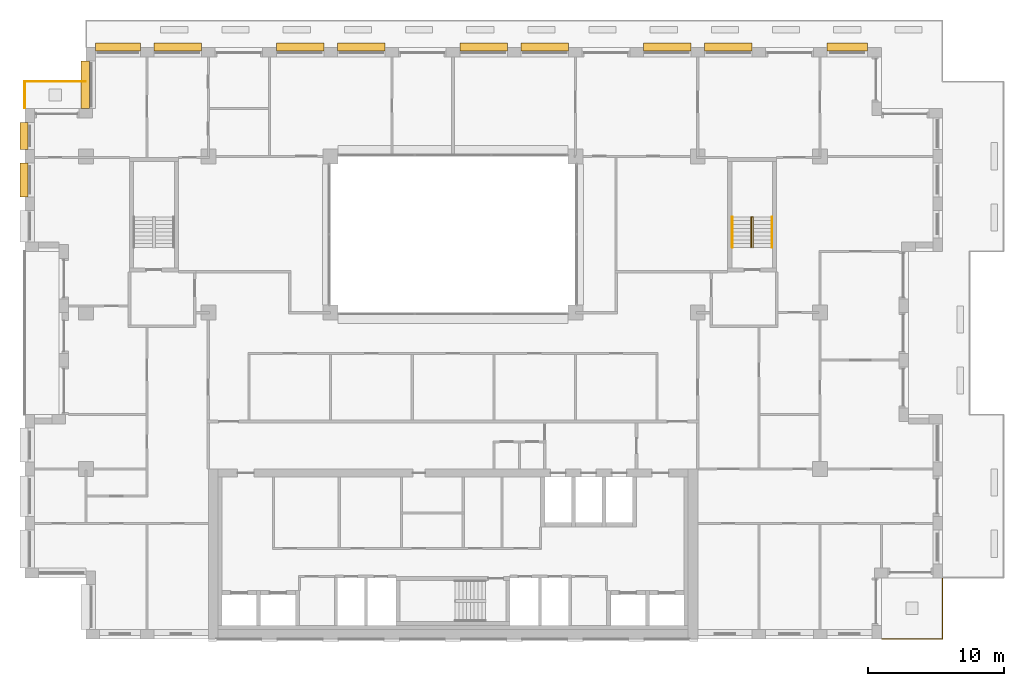
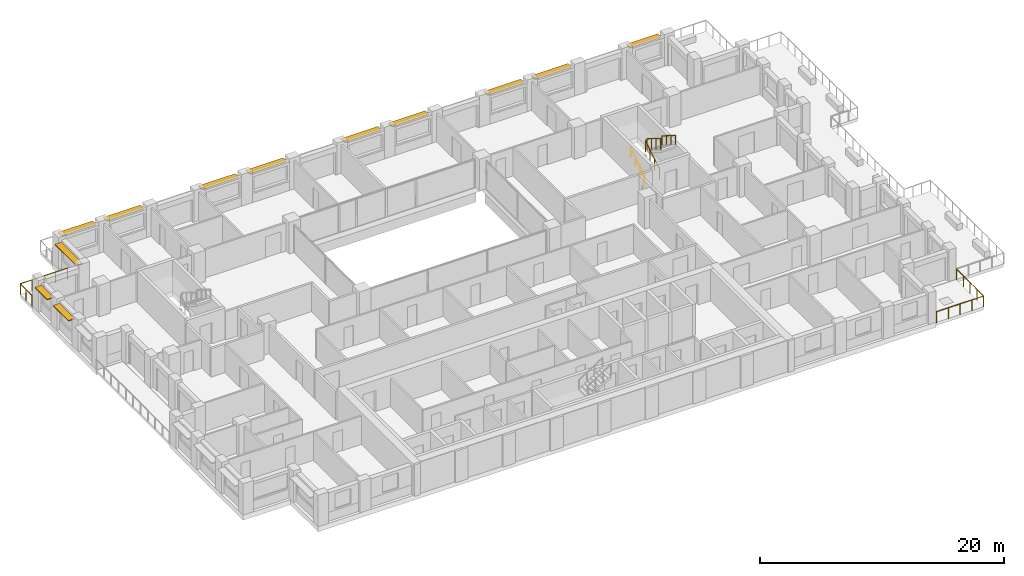
# One storey, part 17 of 17: 12 shading devices, 5 railings.
"""IFC4 building model written with IfcOpenShell, lengths in metres."""

import ifcopenshell
import ifcopenshell.guid

model = None  # the IFC model being written
_history = None  # IfcOwnerHistory: only IFC2X3 demands one
_inside = {}  # id of a spatial element -> (the spatial element, [elements in it])
_under = {}  # id of a project, library or spatial element -> (it, [spatial elements below it])
_declared = {}  # id of a project -> (the project, [libraries it declares])
_typed = {}  # id of a type object -> (the type object, [elements of that type])
_made_of = {}  # id of a material, layer set ... -> (it, [elements and type objects made of it])


def new_model(schema):
    """Start an empty IFC model of exactly this schema.

    Asked for "IFC4X3", IfcOpenShell would pick the latest addendum, in which some entities
    have other attributes; the version numbers below select the first issue.
    IFC2X3 requires an IfcOwnerHistory on every rooted entity: one is made here for all.
    """
    global model, _history
    if schema == "IFC4X3":
        model = ifcopenshell.file(schema_version=(4, 3, 0, 0))
    else:
        model = ifcopenshell.file(schema=schema)
    _inside.clear()
    _under.clear()
    _declared.clear()
    _typed.clear()
    _made_of.clear()
    _history = None
    if model.schema == "IFC2X3":
        org = make("IfcOrganization", Name="unknown")
        user = make(
            "IfcPersonAndOrganization",
            ThePerson=make("IfcPerson", FamilyName="unknown"),
            TheOrganization=org,
        )
        app = make(
            "IfcApplication",
            ApplicationDeveloper=org,
            Version="unknown",
            ApplicationFullName="unknown",
            ApplicationIdentifier="unknown",
        )
        _history = make(
            "IfcOwnerHistory",
            OwningUser=user,
            OwningApplication=app,
            ChangeAction="ADDED",
            CreationDate=0,
        )
    return model


def make(cls, **values):
    """One entity of the class cls with the attributes given. An attribute that is None is left unset."""
    return model.create_entity(
        cls, **{name: value for name, value in values.items() if value is not None}
    )


def rooted(cls, **values):
    """An entity with a GlobalId (a new one), such as an element, a storey or a relation."""
    return make(cls, GlobalId=ifcopenshell.guid.new(), OwnerHistory=_history, **values)


def si_unit(unit_type, name, prefix=None):
    """IfcSIUnit, for example si_unit("LENGTHUNIT", "METRE", prefix="MILLI")."""
    return make("IfcSIUnit", UnitType=unit_type, Prefix=prefix, Name=name)


def assignment(units):
    """IfcUnitAssignment: the units of a project."""
    return None if units is None else make("IfcUnitAssignment", Units=units)


def point(xyz):
    """IfcCartesianPoint."""
    return None if xyz is None else make("IfcCartesianPoint", Coordinates=xyz)


def direction(xyz):
    """IfcDirection."""
    return None if xyz is None else make("IfcDirection", DirectionRatios=xyz)


def frame(location, z_axis=None, x_axis=None):
    """IfcAxis2Placement3D, a coordinate frame: its origin and axes. An axis left out is left unset."""
    return make(
        "IfcAxis2Placement3D",
        Location=point(location),
        Axis=direction(z_axis),
        RefDirection=direction(x_axis),
    )


def frame_2d(location, x_axis=None):
    """IfcAxis2Placement2D, a coordinate frame in the plane: its origin and x axis."""
    return make(
        "IfcAxis2Placement2D", Location=point(location), RefDirection=direction(x_axis)
    )


def origin():
    """The frame at (0, 0, 0) with its axes left unset."""
    return frame((0.0, 0.0, 0.0))


def origin_2d():
    """The frame at (0, 0) in the plane with its x axis left unset."""
    return frame_2d((0.0, 0.0))


def place(relative_to, where):
    """IfcLocalPlacement: puts the frame where relative to a parent placement (None: the world)."""
    return make(
        "IfcLocalPlacement", PlacementRelTo=relative_to, RelativePlacement=where
    )


def context(
    kind, dimensions, precision=None, world=None, true_north=None, identifier=None
):
    """IfcGeometricRepresentationContext, for example the 3D "Model" context."""
    return make(
        "IfcGeometricRepresentationContext",
        ContextIdentifier=identifier,
        ContextType=kind,
        CoordinateSpaceDimension=dimensions,
        Precision=precision,
        WorldCoordinateSystem=world,
        TrueNorth=true_north,
    )


def subcontext(parent, identifier, kind, view, scale=None):
    """IfcGeometricRepresentationSubContext, for example "Body" below "Model"."""
    return make(
        "IfcGeometricRepresentationSubContext",
        ContextIdentifier=identifier,
        ContextType=kind,
        ParentContext=parent,
        TargetScale=scale,
        TargetView=view,
    )


def project(units=None, contexts=None):
    """IfcProject with its units and contexts."""
    return rooted(
        "IfcProject",
        Name="project",
        RepresentationContexts=contexts,
        UnitsInContext=assignment(units),
    )


def spatial(cls, under=None, at=None, **own):
    """A site, building, storey or space (cls), placed at a placement, below another one or the project."""
    s = rooted(cls, ObjectPlacement=at, **own)
    if under is not None:
        _under.setdefault(under.id(), (under, []))[1].append(s)
    return s


def profile(cls, at=None, kind="AREA", **sizes):
    """A parametric profile (cls). Its sizes go by their IFC names, for example OverallWidth=200.0."""
    return make(cls, ProfileType=kind, Position=at, **sizes)


def rectangle(**sizes):
    """IfcRectangleProfileDef."""
    return profile("IfcRectangleProfileDef", **sizes)


def circle(**sizes):
    """IfcCircleProfileDef."""
    return profile("IfcCircleProfileDef", **sizes)


def extrude(swept, where, along, depth):
    """IfcExtrudedAreaSolid: the profile swept, set in the frame where, extruded along a direction by depth."""
    return make(
        "IfcExtrudedAreaSolid",
        SweptArea=swept,
        Position=where,
        ExtrudedDirection=direction(along),
        Depth=depth,
    )


def shape(context_of_items, identifier, shape_type, items):
    """IfcShapeRepresentation: the items that make up one representation, for example the "Body"."""
    return make(
        "IfcShapeRepresentation",
        ContextOfItems=context_of_items,
        RepresentationIdentifier=identifier,
        RepresentationType=shape_type,
        Items=items,
    )


def material(Name=None, Category=None):
    """IfcMaterial."""
    return make("IfcMaterial", Name=Name, Category=Category)


def layer(
    of_material, thickness, ventilated=None, Name=None, Category=None, Priority=None
):
    """IfcMaterialLayer: one layer of a wall or slab, of a material (None: an air gap)."""
    return make(
        "IfcMaterialLayer",
        Material=of_material,
        LayerThickness=thickness,
        IsVentilated=ventilated,
        Name=Name,
        Category=Category,
        Priority=Priority,
    )


def layer_set(layers, Name=None):
    """IfcMaterialLayerSet."""
    return make("IfcMaterialLayerSet", MaterialLayers=layers, LayerSetName=Name)


def made_of(thing, what):
    """Note that an element or type object is made of a material, layer set ...; save() writes the relation."""
    if what is not None:
        _made_of.setdefault(what.id(), (what, []))[1].append(thing)
    return thing


def type_object(cls, material=None, **own):
    """A type object (cls), such as IfcWallType, which elements share."""
    return made_of(rooted(cls, **own), material)


def element(
    cls,
    number,
    at=None,
    inside=None,
    cuts=None,
    type_object=None,
    material=None,
    context=None,
    identifier="Body",
    shape_type=None,
    held_by="IfcProductDefinitionShape",
    body=None,
    shapes=None,
    **own,
):
    """One element of the class cls, such as IfcWall. Its Tag is "e" and its number.

    at: its placement. inside: the storey or other place that contains it. cuts: it is an
    opening in that element (IfcRelVoidsElement). A single representation is given by context,
    identifier, shape_type and body (its items); several are given by shapes. held_by: the class
    of the entity that holds the representations. save() writes the other relations.
    """
    e = rooted(cls, Tag="e%d" % number, ObjectPlacement=at, **own)
    if body is not None:
        shapes = [shape(context, identifier, shape_type, body)]
    if shapes is not None:
        e.Representation = make(held_by, Representations=shapes)
    if inside is not None:
        _inside.setdefault(inside.id(), (inside, []))[1].append(e)
    if cuts is not None:
        rooted(
            "IfcRelVoidsElement", RelatingBuildingElement=cuts, RelatedOpeningElement=e
        )
    if type_object is not None:
        _typed.setdefault(type_object.id(), (type_object, []))[1].append(e)
    return made_of(e, material)


def aggregate(whole, parts):
    """IfcRelAggregates: a whole, such as a stair, and the parts it consists of."""
    return rooted("IfcRelAggregates", RelatingObject=whole, RelatedObjects=parts)


def save(model, path):
    """Write the relations noted so far, then the file.

    IfcRelAggregates (storeys below a building ...), IfcRelContainedInSpatialStructure (elements
    in a storey), IfcRelDefinesByType, IfcRelAssociatesMaterial and IfcRelDeclares: one each for
    every whole, place, type object, material and project.
    """
    for whole, parts in _under.values():
        aggregate(whole, parts)
    for where, things in _inside.values():
        rooted(
            "IfcRelContainedInSpatialStructure",
            RelatedElements=things,
            RelatingStructure=where,
        )
    for kind, things in _typed.values():
        rooted("IfcRelDefinesByType", RelatedObjects=things, RelatingType=kind)
    for what, things in _made_of.values():
        rooted("IfcRelAssociatesMaterial", RelatedObjects=things, RelatingMaterial=what)
    for by, libraries in _declared.values():
        rooted("IfcRelDeclares", RelatingContext=by, RelatedDefinitions=libraries)
    model.write(path)


model = new_model("IFC4")

# Units and contexts
model_context = context("Model", 3, precision=1e-05, world=origin(), true_north=direction((0.0, 1.0)))
body_context = subcontext(model_context, "Body", "Model", "MODEL_VIEW")
ifc_project = project(units=[si_unit("LENGTHUNIT", "METRE"), si_unit("AREAUNIT", "SQUARE_METRE"), si_unit("VOLUMEUNIT", "CUBIC_METRE"), si_unit("PLANEANGLEUNIT", "RADIAN"), si_unit("MASSUNIT", "GRAM", prefix="KILO")], contexts=[model_context])

# Site, building, storey
site_placement = place(None, origin())
site = spatial("IfcSite", under=ifc_project, at=site_placement, CompositionType="ELEMENT")
building_placement = place(site_placement, origin())
building = spatial("IfcBuilding", under=site, at=building_placement, Name="Brigalow Station Residences", CompositionType="ELEMENT")
storey_placement = place(building_placement, frame((0.0, 0.0, 141.300048828125)))
storey = spatial("IfcBuildingStorey", under=building, at=storey_placement, Name="L40", CompositionType="ELEMENT", Elevation=141.300048828125)

# Railings
ifc_material_1 = material(Name="Stainless steel balustrade with laminated glass infill", Category="steel")
railing_type_1 = type_object("IfcRailingType", Name="BALCONY GUARD 1100", PredefinedType="GUARDRAIL", material=ifc_material_1)
railing_1_placement = place(storey_placement, frame((8.949951171875, 41.0, -0.0400390625)))
element("IfcRailing", 1, at=railing_1_placement, inside=storey, type_object=railing_type_1, Name="L40/terrace-guard/1-1", PredefinedType="GUARDRAIL", context=body_context, shape_type="SweptSolid", body=[
    extrude(circle(Radius=0.02392578125, at=origin_2d()), frame((0.0, 0.0, 1.076171875), z_axis=(-1.0, 0.0, 0.0), x_axis=(0.0, -1.0, 0.0)), (0.0, 0.0, 1.0), 4.449951171875),
    extrude(circle(Radius=0.02392578125, at=origin_2d()), frame((-4.449951171875, 0.0, 1.076171875), z_axis=(0.0, -1.0, 0.0), x_axis=(1.0, 0.0, 0.0)), (0.0, 0.0, 1.0), 1.949951171875),
    extrude(circle(Radius=0.02099609375, at=origin_2d()), origin(), (0.0, 0.0, 1.0), 1.052001953125),
    extrude(circle(Radius=0.02099609375, at=origin_2d()), frame((-1.112548828125, 0.0, 0.0)), (0.0, 0.0, 1.0), 1.052001953125),
    extrude(circle(Radius=0.02099609375, at=origin_2d()), frame((-2.22509765625, 0.0, 0.0)), (0.0, 0.0, 1.0), 1.052001953125),
    extrude(circle(Radius=0.02099609375, at=origin_2d()), frame((-3.33740234375, 0.0, 0.0)), (0.0, 0.0, 1.0), 1.052001953125),
    extrude(circle(Radius=0.02099609375, at=origin_2d()), frame((-4.449951171875, 0.0, 0.0)), (0.0, 0.0, 1.0), 1.052001953125),
    extrude(circle(Radius=0.02099609375, at=origin_2d()), frame((-4.449951171875, -0.97509765625, 0.0)), (0.0, 0.0, 1.0), 1.052001953125),
    extrude(circle(Radius=0.02099609375, at=origin_2d()), frame((-4.449951171875, -1.949951171875, 0.0)), (0.0, 0.0, 1.0), 1.052001953125),
])
railing_2_placement = place(storey_placement, frame((67.550048828125, 0.0, -0.0400390625)))
element("IfcRailing", 2, at=railing_2_placement, inside=storey, type_object=railing_type_1, Name="L40/terrace-guard/3-1", PredefinedType="GUARDRAIL", context=body_context, shape_type="SweptSolid", body=[
    extrude(circle(Radius=0.02392578125, at=origin_2d()), frame((0.0, 0.0, 1.076171875), z_axis=(1.0, 0.0, 0.0), x_axis=(0.0, 1.0, 0.0)), (0.0, 0.0, 1.0), 4.449951171875),
    extrude(circle(Radius=0.02392578125, at=origin_2d()), frame((4.449951171875, 0.0, 1.076171875), z_axis=(0.0, 1.0, 0.0), x_axis=(-1.0, 0.0, 0.0)), (0.0, 0.0, 1.0), 4.449951171875),
    extrude(circle(Radius=0.02099609375, at=origin_2d()), origin(), (0.0, 0.0, 1.0), 1.052001953125),
    extrude(circle(Radius=0.02099609375, at=origin_2d()), frame((1.112548828125, 0.0, 0.0)), (0.0, 0.0, 1.0), 1.052001953125),
    extrude(circle(Radius=0.02099609375, at=origin_2d()), frame((2.22509765625, 0.0, 0.0)), (0.0, 0.0, 1.0), 1.052001953125),
    extrude(circle(Radius=0.02099609375, at=origin_2d()), frame((3.33740234375, 0.0, 0.0)), (0.0, 0.0, 1.0), 1.052001953125),
    extrude(circle(Radius=0.02099609375, at=origin_2d()), frame((4.449951171875, 0.0, 0.0)), (0.0, 0.0, 1.0), 1.052001953125),
    extrude(circle(Radius=0.02099609375, at=origin_2d()), frame((4.449951171875, 1.112548828125, 0.0)), (0.0, 0.0, 1.0), 1.052001953125),
    extrude(circle(Radius=0.02099609375, at=origin_2d()), frame((4.449951171875, 2.22509765625, 0.0)), (0.0, 0.0, 1.0), 1.052001953125),
    extrude(circle(Radius=0.02099609375, at=origin_2d()), frame((4.449951171875, 3.33740234375, 0.0)), (0.0, 0.0, 1.0), 1.052001953125),
    extrude(circle(Radius=0.02099609375, at=origin_2d()), frame((4.449951171875, 4.449951171875, 0.0)), (0.0, 0.0, 1.0), 1.052001953125),
])
ifc_material_2 = material(Name="Stainless steel balustrade", Category="steel")
railing_type_2 = type_object("IfcRailingType", Name="STAIR GUARD 1100", PredefinedType="GUARDRAIL", material=ifc_material_2)
railing_3_placement = place(storey_placement, frame((57.929931640625, 28.800048828125, 0.175048828125)))
element("IfcRailing", 3, at=railing_3_placement, inside=storey, type_object=railing_type_2, Name="GUARD GR-3", PredefinedType="GUARDRAIL", context=body_context, shape_type="SweptSolid", body=[
    extrude(circle(Radius=0.02392578125, at=origin_2d()), frame((0.0, 0.0, 1.076171875), z_axis=(0.0, 0.848013881152, 0.529974015752), x_axis=(-1.0, 0.0, 0.0)), (0.0, 0.0, 1.0), 2.641357421875),
    extrude(circle(Radius=0.02392578125, at=origin_2d()), frame((0.0, 2.239990234375, 2.47607421875), z_axis=(0.624960567888, 0.0, 0.780656319122), x_axis=(0.0, 1.0, 0.0)), (0.0, 0.0, 1.0), 0.22412109375),
    extrude(circle(Radius=0.02392578125, at=origin_2d()), frame((0.14013671875, 2.239990234375, 2.65087890625), z_axis=(0.0, -0.848013881152, 0.529974015752), x_axis=(1.0, 0.0, 0.0)), (0.0, 0.0, 1.0), 2.641357421875),
    extrude(circle(Radius=0.02099609375, at=origin_2d()), origin(), (0.0, 0.0, 1.0), 1.052001953125),
    extrude(circle(Radius=0.02099609375, at=origin_2d()), frame((0.0, 0.74658203125, 0.466552734375)), (0.0, 0.0, 1.0), 1.052001953125),
    extrude(circle(Radius=0.02099609375, at=origin_2d()), frame((0.0, 1.493408203125, 0.933349609375)), (0.0, 0.0, 1.0), 1.052001953125),
    extrude(circle(Radius=0.02099609375, at=origin_2d()), frame((0.0, 2.239990234375, 1.39990234375)), (0.0, 0.0, 1.0), 1.052001953125),
    extrude(circle(Radius=0.02099609375, at=origin_2d()), frame((0.14013671875, 2.239990234375, 1.574951171875)), (0.0, 0.0, 1.0), 1.052001953125),
    extrude(circle(Radius=0.02099609375, at=origin_2d()), frame((0.14013671875, 1.493408203125, 2.04150390625)), (0.0, 0.0, 1.0), 1.052001953125),
    extrude(circle(Radius=0.02099609375, at=origin_2d()), frame((0.14013671875, 0.74658203125, 2.50830078125)), (0.0, 0.0, 1.0), 1.052001953125),
    extrude(circle(Radius=0.02099609375, at=origin_2d()), frame((0.14013671875, 0.0, 2.974853515625)), (0.0, 0.0, 1.0), 1.052001953125),
])
ifc_material_3 = material(Name="Stainless steel handrail", Category="steel")
railing_type_3 = type_object("IfcRailingType", Name="STAIR HANDRAIL 900", PredefinedType="HANDRAIL", material=ifc_material_3)
railing_4_placement = place(storey_placement, frame((56.5400390625, 28.800048828125, 0.175048828125)))
element("IfcRailing", 4, at=railing_4_placement, inside=storey, type_object=railing_type_3, Name="HANDRAIL HR-31", PredefinedType="HANDRAIL", context=body_context, shape_type="SweptSolid", body=[
    extrude(circle(Radius=0.02392578125, at=origin_2d()), frame((0.0, 0.0, 0.8759765625), z_axis=(0.0, 0.848013881152, 0.529974015752), x_axis=(-1.0, 0.0, 0.0)), (0.0, 0.0, 1.0), 2.641357421875),
    extrude(circle(Radius=0.02099609375, at=origin_2d()), origin(), (0.0, 0.0, 1.0), 0.851806640625),
    extrude(circle(Radius=0.02099609375, at=origin_2d()), frame((0.0, 0.74658203125, 0.466552734375)), (0.0, 0.0, 1.0), 0.851806640625),
    extrude(circle(Radius=0.02099609375, at=origin_2d()), frame((0.0, 1.493408203125, 0.933349609375)), (0.0, 0.0, 1.0), 0.851806640625),
    extrude(circle(Radius=0.02099609375, at=origin_2d()), frame((0.0, 2.239990234375, 1.39990234375)), (0.0, 0.0, 1.0), 0.851806640625),
])
railing_5_placement = place(storey_placement, frame((59.4599609375, 31.0400390625, 1.75)))
element("IfcRailing", 5, at=railing_5_placement, inside=storey, type_object=railing_type_3, Name="HANDRAIL HR-32", PredefinedType="HANDRAIL", context=body_context, shape_type="SweptSolid", body=[
    extrude(circle(Radius=0.02392578125, at=origin_2d()), frame((0.0, 0.0, 0.8759765625), z_axis=(0.0, -0.848013881152, 0.529974015752), x_axis=(1.0, 0.0, 0.0)), (0.0, 0.0, 1.0), 2.641357421875),
    extrude(circle(Radius=0.02099609375, at=origin_2d()), origin(), (0.0, 0.0, 1.0), 0.851806640625),
    extrude(circle(Radius=0.02099609375, at=origin_2d()), frame((0.0, -0.74658203125, 0.466552734375)), (0.0, 0.0, 1.0), 0.851806640625),
    extrude(circle(Radius=0.02099609375, at=origin_2d()), frame((0.0, -1.493408203125, 0.933349609375)), (0.0, 0.0, 1.0), 0.851806640625),
    extrude(circle(Radius=0.02099609375, at=origin_2d()), frame((0.0, -2.239990234375, 1.39990234375)), (0.0, 0.0, 1.0), 0.851806640625),
])

# Shading devices
ifc_material_4 = material(Name="Powder-coated extruded aluminium blade", Category="aluminium")
ifc_layer = layer(ifc_material_4, 0.080078125)
ifc_layer_set = layer_set([ifc_layer], Name="SUNSHADE BLADE 600x80")
shading_device_type = type_object("IfcShadingDeviceType", Name="SUNSHADE BLADE 600x80", PredefinedType="JALOUSIE", material=ifc_layer_set)
shading_device_1_placement = place(storey_placement, frame((65.0, 43.550048828125, 2.5498046875), z_axis=(0.0, 0.0, 1.0), x_axis=(-1.0, 0.0, 0.0)))
element("IfcShadingDevice", 6, at=shading_device_1_placement, inside=storey, type_object=shading_device_type, Name="L40/blade/W-L40-22", PredefinedType="JALOUSIE", context=body_context, shape_type="SweptSolid", body=[
    extrude(rectangle(XDim=3.0, YDim=0.60009765625, at=origin_2d()), origin(), (0.0, 0.0, 1.0), 0.080078125),
])
for number, where, z_axis, x_axis, name in (
    (7, (56.25, 43.550048828125, 2.5498046875), (0.0, 0.0, 1.0), (-1.0, 0.0, 0.0), "L40/blade/W-L40-24"),
    (8, (51.75, 43.550048828125, 2.5498046875), (0.0, 0.0, 1.0), (-1.0, 0.0, 0.0), "L40/blade/W-L40-25"),
    (9, (42.75, 43.550048828125, 2.5498046875), (0.0, 0.0, 1.0), (-1.0, 0.0, 0.0), "L40/blade/W-L40-27"),
    (10, (38.25, 43.550048828125, 2.5498046875), (0.0, 0.0, 1.0), (-1.0, 0.0, 0.0), "L40/blade/W-L40-28"),
    (11, (29.25, 43.550048828125, 2.5498046875), (0.0, 0.0, 1.0), (-1.0, 0.0, 0.0), "L40/blade/W-L40-30"),
    (12, (24.75, 43.550048828125, 2.5498046875), (0.0, 0.0, 1.0), (-1.0, 0.0, 0.0), "L40/blade/W-L40-31"),
    (13, (15.75, 43.550048828125, 2.5498046875), (0.0, 0.0, 1.0), (-1.0, 0.0, 0.0), "L40/blade/W-L40-33"),
):
    element("IfcShadingDevice", number, at=place(storey_placement, frame(where, z_axis=z_axis, x_axis=x_axis)), inside=storey, type_object=shading_device_type, Name=name, PredefinedType="JALOUSIE", context=body_context, shape_type="SweptSolid", body=[
        extrude(rectangle(XDim=3.5, YDim=0.60009765625, at=origin_2d()), origin(), (0.0, 0.0, 1.0), 0.080078125),
    ])
shading_device_2_placement = place(storey_placement, frame((11.35009765625, 43.550048828125, 2.5498046875), z_axis=(0.0, 0.0, 1.0), x_axis=(-1.0, 0.0, 0.0)))
element("IfcShadingDevice", 14, at=shading_device_2_placement, inside=storey, type_object=shading_device_type, Name="L40/blade/W-L40-34", PredefinedType="JALOUSIE", context=body_context, shape_type="SweptSolid", body=[
    extrude(rectangle(XDim=3.300048828125, YDim=0.60009765625, at=origin_2d()), origin(), (0.0, 0.0, 1.0), 0.080078125),
])
shading_device_3_placement = place(storey_placement, frame((8.949951171875, 40.75, 2.5498046875), z_axis=(0.0, 0.0, 1.0), x_axis=(0.0, -1.0, 0.0)))
element("IfcShadingDevice", 15, at=shading_device_3_placement, inside=storey, type_object=shading_device_type, Name="L40/blade/W-L40-35", PredefinedType="JALOUSIE", context=body_context, shape_type="SweptSolid", body=[
    extrude(rectangle(XDim=3.5, YDim=0.60009765625, at=origin_2d()), origin(), (0.0, 0.0, 1.0), 0.080078125),
])
shading_device_4_placement = place(storey_placement, frame((4.449951171875, 37.0, 2.5498046875), z_axis=(0.0, 0.0, 1.0), x_axis=(0.0, -1.0, 0.0)))
element("IfcShadingDevice", 16, at=shading_device_4_placement, inside=storey, type_object=shading_device_type, Name="L40/blade/W-L40-37", PredefinedType="JALOUSIE", context=body_context, shape_type="SweptSolid", body=[
    extrude(rectangle(XDim=2.0, YDim=0.60009765625, at=origin_2d()), origin(), (0.0, 0.0, 1.0), 0.080078125),
])
shading_device_5_placement = place(storey_placement, frame((4.449951171875, 33.75, 2.5498046875), z_axis=(0.0, 0.0, 1.0), x_axis=(0.0, -1.0, 0.0)))
element("IfcShadingDevice", 17, at=shading_device_5_placement, inside=storey, type_object=shading_device_type, Name="L40/blade/W-L40-38", PredefinedType="JALOUSIE", context=body_context, shape_type="SweptSolid", body=[
    extrude(rectangle(XDim=2.5, YDim=0.60009765625, at=origin_2d()), origin(), (0.0, 0.0, 1.0), 0.080078125),
])

save(model, "model.ifc")
